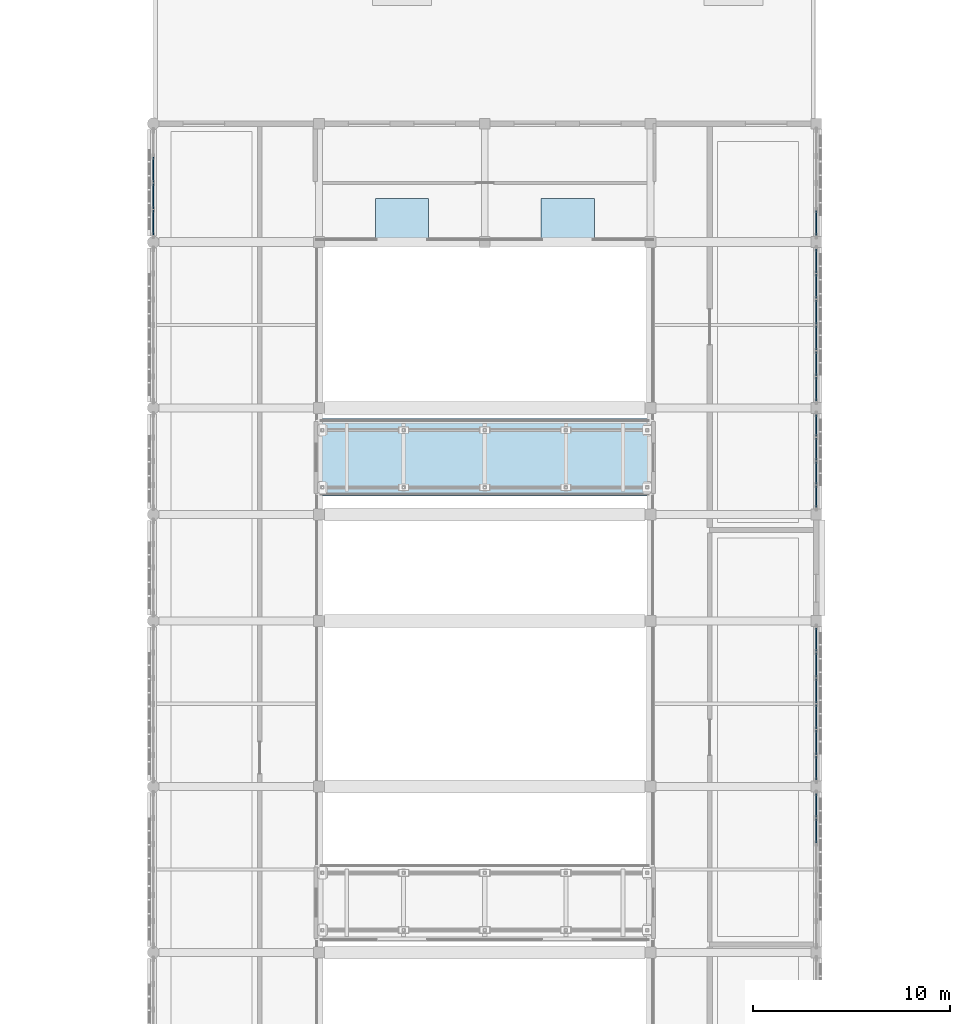
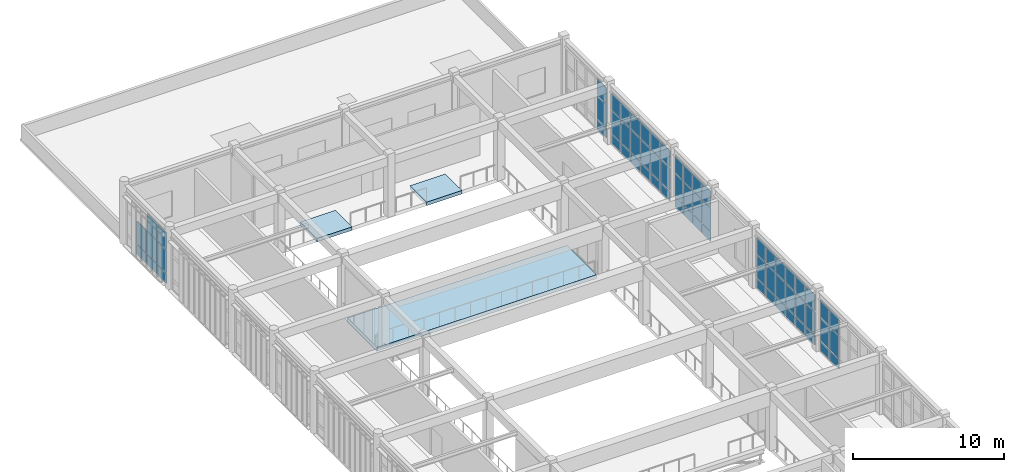
# One storey, part 48 of 77: 65 plates, 3 slabs, 6 elements without a shape of their own.
"""IFC4 building model written with IfcOpenShell, lengths in metres."""

from ifc_helpers import new_model, si_unit, direction, frame, origin, origin_2d, place, context, subcontext, project, spatial, polyline, rectangle, outline, extrude, material, layer, layer_set, type_object, element, aggregate, save


model = new_model("IFC4")

# Units and contexts
model_context = context("Model", 3, precision=1e-05, world=origin(), true_north=direction((0.0, 1.0)))
body_context = subcontext(model_context, "Body", "Model", "MODEL_VIEW")
ifc_project = project(units=[si_unit("LENGTHUNIT", "METRE"), si_unit("AREAUNIT", "SQUARE_METRE"), si_unit("VOLUMEUNIT", "CUBIC_METRE"), si_unit("PLANEANGLEUNIT", "RADIAN"), si_unit("MASSUNIT", "GRAM", prefix="KILO")], contexts=[model_context])

# Site, building, storey
site_placement = place(None, origin())
site = spatial("IfcSite", under=ifc_project, at=site_placement, CompositionType="ELEMENT")
building_placement = place(site_placement, origin())
building = spatial("IfcBuilding", under=site, at=building_placement, Name="Krzemoval Escarpment Law Courts", CompositionType="ELEMENT")
storey_placement = place(building_placement, frame((0.0, 0.0, 15.300048828125)))
storey = spatial("IfcBuildingStorey", under=building, at=storey_placement, Name="L03", CompositionType="ELEMENT", Elevation=15.300048828125)

# Curtain wall, plates
ifc_material_1 = material(Name="Aluminium 6063-T6", Category="aluminium")
ifc_layer_1 = layer(ifc_material_1, 0.280029296875)
ifc_layer_set_1 = layer_set([ifc_layer_1], Name="Aluminium 6063-T6")
curtain_wall_type = type_object("IfcCurtainWallType", Name="CW-HALL-5100", PredefinedType="USERDEFINED", material=ifc_layer_set_1)
curtain_wall_1_placement = place(storey_placement, origin())
curtain_wall_1 = element("IfcCurtainWall", 1, at=curtain_wall_1_placement, inside=storey, type_object=curtain_wall_type, Name="Unitised Curtain Wall FCW-L03-104", ObjectType="UNITISED_CURTAIN_WALL", PredefinedType="USERDEFINED")
ifc_material_2 = material(Name="Triple Glazing IGU", Category="glass")
ifc_layer_2 = layer(ifc_material_2, 0.053955078125)
ifc_layer_set_2 = layer_set([ifc_layer_2], Name="Triple Glazing IGU")
plate_type = type_object("IfcPlateType", Name="CWP-GLZ-54", PredefinedType="CURTAIN_PANEL", material=ifc_layer_set_2)
plate_1_placement = place(storey_placement, frame((8.39990234375, 94.59619140625, 0.0849609375), z_axis=(0.0, 0.0, 1.0), x_axis=(0.0, 1.0, 0.0)))
plate_1 = element("IfcPlate", 2, at=plate_1_placement, type_object=plate_type, Name="FCW-L03-104 panel 1.1", PredefinedType="CURTAIN_PANEL", context=body_context, shape_type="SweptSolid", body=[
    extrude(rectangle(XDim=1.222412109375, YDim=0.053955078125, at=origin_2d()), origin(), (0.0, 0.0, 1.0), 0.7724609375),
])
plate_2_placement = place(storey_placement, frame((8.39990234375, 94.59619140625, 0.9423828125), z_axis=(0.0, 0.0, 1.0), x_axis=(0.0, 1.0, 0.0)))
plate_2 = element("IfcPlate", 3, at=plate_2_placement, type_object=plate_type, Name="FCW-L03-104 panel 1.2", PredefinedType="CURTAIN_PANEL", context=body_context, shape_type="SweptSolid", body=[
    extrude(rectangle(XDim=1.222412109375, YDim=0.053955078125, at=origin_2d()), origin(), (0.0, 0.0, 1.0), 1.81494140625),
])
plate_3_placement = place(storey_placement, frame((8.39990234375, 94.59619140625, 2.842529296875), z_axis=(0.0, 0.0, 1.0), x_axis=(0.0, 1.0, 0.0)))
plate_3 = element("IfcPlate", 4, at=plate_3_placement, type_object=plate_type, Name="FCW-L03-104 panel 1.3", PredefinedType="CURTAIN_PANEL", context=body_context, shape_type="SweptSolid", body=[
    extrude(rectangle(XDim=1.222412109375, YDim=0.053955078125, at=origin_2d()), origin(), (0.0, 0.0, 1.0), 1.3125),
])
plate_4_placement = place(storey_placement, frame((8.39990234375, 95.925048828125, 0.0849609375), z_axis=(0.0, 0.0, 1.0), x_axis=(0.0, 1.0, 0.0)))
plate_4 = element("IfcPlate", 5, at=plate_4_placement, type_object=plate_type, Name="FCW-L03-104 panel 2.1", PredefinedType="CURTAIN_PANEL", context=body_context, shape_type="SweptSolid", body=[
    extrude(rectangle(XDim=1.264892578125, YDim=0.053955078125, at=origin_2d()), origin(), (0.0, 0.0, 1.0), 0.7724609375),
])
plate_5_placement = place(storey_placement, frame((8.39990234375, 95.925048828125, 0.9423828125), z_axis=(0.0, 0.0, 1.0), x_axis=(0.0, 1.0, 0.0)))
plate_5 = element("IfcPlate", 6, at=plate_5_placement, type_object=plate_type, Name="FCW-L03-104 panel 2.2", PredefinedType="CURTAIN_PANEL", context=body_context, shape_type="SweptSolid", body=[
    extrude(rectangle(XDim=1.264892578125, YDim=0.053955078125, at=origin_2d()), origin(), (0.0, 0.0, 1.0), 1.81494140625),
])
plate_6_placement = place(storey_placement, frame((8.39990234375, 95.925048828125, 2.842529296875), z_axis=(0.0, 0.0, 1.0), x_axis=(0.0, 1.0, 0.0)))
plate_6 = element("IfcPlate", 7, at=plate_6_placement, type_object=plate_type, Name="FCW-L03-104 panel 2.3", PredefinedType="CURTAIN_PANEL", context=body_context, shape_type="SweptSolid", body=[
    extrude(rectangle(XDim=1.264892578125, YDim=0.053955078125, at=origin_2d()), origin(), (0.0, 0.0, 1.0), 1.3125),
])
plate_7_placement = place(storey_placement, frame((8.39990234375, 97.27490234375, 0.0849609375), z_axis=(0.0, 0.0, 1.0), x_axis=(0.0, 1.0, 0.0)))
plate_7 = element("IfcPlate", 8, at=plate_7_placement, type_object=plate_type, Name="FCW-L03-104 panel 3.1", PredefinedType="CURTAIN_PANEL", context=body_context, shape_type="SweptSolid", body=[
    extrude(rectangle(XDim=1.264892578125, YDim=0.053955078125, at=origin_2d()), origin(), (0.0, 0.0, 1.0), 0.7724609375),
])
plate_8_placement = place(storey_placement, frame((8.39990234375, 97.27490234375, 0.9423828125), z_axis=(0.0, 0.0, 1.0), x_axis=(0.0, 1.0, 0.0)))
plate_8 = element("IfcPlate", 9, at=plate_8_placement, type_object=plate_type, Name="FCW-L03-104 panel 3.2", PredefinedType="CURTAIN_PANEL", context=body_context, shape_type="SweptSolid", body=[
    extrude(rectangle(XDim=1.264892578125, YDim=0.053955078125, at=origin_2d()), origin(), (0.0, 0.0, 1.0), 1.81494140625),
])
aggregate(curtain_wall_1, [plate_1, plate_2, plate_3, plate_4, plate_5, plate_6, plate_7, plate_8])

curtain_wall_2_placement = place(storey_placement, origin())
curtain_wall_2 = element("IfcCurtainWall", 10, at=curtain_wall_2_placement, inside=storey, type_object=curtain_wall_type, Name="Unitised Curtain Wall FCW-L03-105", ObjectType="UNITISED_CURTAIN_WALL", PredefinedType="USERDEFINED")
plate_9_placement = place(storey_placement, frame((42.0, 94.577392578125, 0.0849609375), z_axis=(0.0, 0.0, 1.0), x_axis=(0.0, -1.0, 0.0)))
plate_9 = element("IfcPlate", 11, at=plate_9_placement, type_object=plate_type, Name="FCW-L03-105 panel 4.1", PredefinedType="CURTAIN_PANEL", context=body_context, shape_type="SweptSolid", body=[
    extrude(rectangle(XDim=1.235107421875, YDim=0.053955078125, at=origin_2d()), origin(), (0.0, 0.0, 1.0), 0.7724609375),
])
plate_10_placement = place(storey_placement, frame((42.0, 94.577392578125, 0.9423828125), z_axis=(0.0, 0.0, 1.0), x_axis=(0.0, -1.0, 0.0)))
plate_10 = element("IfcPlate", 12, at=plate_10_placement, type_object=plate_type, Name="FCW-L03-105 panel 4.2", PredefinedType="CURTAIN_PANEL", context=body_context, shape_type="SweptSolid", body=[
    extrude(rectangle(XDim=1.235107421875, YDim=0.053955078125, at=origin_2d()), origin(), (0.0, 0.0, 1.0), 1.81494140625),
])
plate_11_placement = place(storey_placement, frame((42.0, 94.577392578125, 2.842529296875), z_axis=(0.0, 0.0, 1.0), x_axis=(0.0, -1.0, 0.0)))
plate_11 = element("IfcPlate", 13, at=plate_11_placement, type_object=plate_type, Name="FCW-L03-105 panel 4.3", PredefinedType="CURTAIN_PANEL", context=body_context, shape_type="SweptSolid", body=[
    extrude(rectangle(XDim=1.235107421875, YDim=0.053955078125, at=origin_2d()), origin(), (0.0, 0.0, 1.0), 1.3125),
])
aggregate(curtain_wall_2, [plate_9, plate_10, plate_11])

curtain_wall_3_placement = place(storey_placement, origin())
curtain_wall_3 = element("IfcCurtainWall", 14, at=curtain_wall_3_placement, inside=storey, type_object=curtain_wall_type, Name="Unitised Curtain Wall FCW-L03-106", ObjectType="UNITISED_CURTAIN_WALL", PredefinedType="USERDEFINED")
plate_12_placement = place(storey_placement, frame((42.0, 92.649658203125, 0.0849609375), z_axis=(0.0, 0.0, 1.0), x_axis=(0.0, -1.0, 0.0)))
plate_12 = element("IfcPlate", 15, at=plate_12_placement, type_object=plate_type, Name="FCW-L03-106 panel 1.1", PredefinedType="CURTAIN_PANEL", context=body_context, shape_type="SweptSolid", body=[
    extrude(rectangle(XDim=1.180908203125, YDim=0.053955078125, at=origin_2d()), origin(), (0.0, 0.0, 1.0), 0.7724609375),
])
plate_13_placement = place(storey_placement, frame((42.0, 92.649658203125, 0.9423828125), z_axis=(0.0, 0.0, 1.0), x_axis=(0.0, -1.0, 0.0)))
plate_13 = element("IfcPlate", 16, at=plate_13_placement, type_object=plate_type, Name="FCW-L03-106 panel 1.2", PredefinedType="CURTAIN_PANEL", context=body_context, shape_type="SweptSolid", body=[
    extrude(rectangle(XDim=1.180908203125, YDim=0.053955078125, at=origin_2d()), origin(), (0.0, 0.0, 1.0), 1.81494140625),
])
plate_14_placement = place(storey_placement, frame((42.0, 92.649658203125, 2.842529296875), z_axis=(0.0, 0.0, 1.0), x_axis=(0.0, -1.0, 0.0)))
plate_14 = element("IfcPlate", 17, at=plate_14_placement, type_object=plate_type, Name="FCW-L03-106 panel 1.3", PredefinedType="CURTAIN_PANEL", context=body_context, shape_type="SweptSolid", body=[
    extrude(rectangle(XDim=1.180908203125, YDim=0.053955078125, at=origin_2d()), origin(), (0.0, 0.0, 1.0), 1.3125),
])
plate_15_placement = place(storey_placement, frame((42.0, 91.362548828125, 0.0849609375), z_axis=(0.0, 0.0, 1.0), x_axis=(0.0, -1.0, 0.0)))
plate_15 = element("IfcPlate", 18, at=plate_15_placement, type_object=plate_type, Name="FCW-L03-106 panel 2.1", PredefinedType="CURTAIN_PANEL", context=body_context, shape_type="SweptSolid", body=[
    extrude(rectangle(XDim=1.223388671875, YDim=0.053955078125, at=origin_2d()), origin(), (0.0, 0.0, 1.0), 0.7724609375),
])
plate_16_placement = place(storey_placement, frame((42.0, 91.362548828125, 0.9423828125), z_axis=(0.0, 0.0, 1.0), x_axis=(0.0, -1.0, 0.0)))
plate_16 = element("IfcPlate", 19, at=plate_16_placement, type_object=plate_type, Name="FCW-L03-106 panel 2.2", PredefinedType="CURTAIN_PANEL", context=body_context, shape_type="SweptSolid", body=[
    extrude(rectangle(XDim=1.223388671875, YDim=0.053955078125, at=origin_2d()), origin(), (0.0, 0.0, 1.0), 1.81494140625),
])
plate_17_placement = place(storey_placement, frame((42.0, 91.362548828125, 2.842529296875), z_axis=(0.0, 0.0, 1.0), x_axis=(0.0, -1.0, 0.0)))
plate_17 = element("IfcPlate", 20, at=plate_17_placement, type_object=plate_type, Name="FCW-L03-106 panel 2.3", PredefinedType="CURTAIN_PANEL", context=body_context, shape_type="SweptSolid", body=[
    extrude(rectangle(XDim=1.223388671875, YDim=0.053955078125, at=origin_2d()), origin(), (0.0, 0.0, 1.0), 1.3125),
])
plate_18_placement = place(storey_placement, frame((42.0, 90.05419921875, 0.0849609375), z_axis=(0.0, 0.0, 1.0), x_axis=(0.0, -1.0, 0.0)))
plate_18 = element("IfcPlate", 21, at=plate_18_placement, type_object=plate_type, Name="FCW-L03-106 panel 3.1", PredefinedType="CURTAIN_PANEL", context=body_context, shape_type="SweptSolid", body=[
    extrude(rectangle(XDim=1.223388671875, YDim=0.053955078125, at=origin_2d()), origin(), (0.0, 0.0, 1.0), 0.7724609375),
])
plate_19_placement = place(storey_placement, frame((42.0, 90.05419921875, 0.9423828125), z_axis=(0.0, 0.0, 1.0), x_axis=(0.0, -1.0, 0.0)))
plate_19 = element("IfcPlate", 22, at=plate_19_placement, type_object=plate_type, Name="FCW-L03-106 panel 3.2", PredefinedType="CURTAIN_PANEL", context=body_context, shape_type="SweptSolid", body=[
    extrude(rectangle(XDim=1.223388671875, YDim=0.053955078125, at=origin_2d()), origin(), (0.0, 0.0, 1.0), 1.81494140625),
])
plate_20_placement = place(storey_placement, frame((42.0, 90.05419921875, 2.842529296875), z_axis=(0.0, 0.0, 1.0), x_axis=(0.0, -1.0, 0.0)))
plate_20 = element("IfcPlate", 23, at=plate_20_placement, type_object=plate_type, Name="FCW-L03-106 panel 3.3", PredefinedType="CURTAIN_PANEL", context=body_context, shape_type="SweptSolid", body=[
    extrude(rectangle(XDim=1.223388671875, YDim=0.053955078125, at=origin_2d()), origin(), (0.0, 0.0, 1.0), 1.3125),
])
plate_21_placement = place(storey_placement, frame((42.0, 88.745849609375, 0.0849609375), z_axis=(0.0, 0.0, 1.0), x_axis=(0.0, -1.0, 0.0)))
plate_21 = element("IfcPlate", 24, at=plate_21_placement, type_object=plate_type, Name="FCW-L03-106 panel 4.1", PredefinedType="CURTAIN_PANEL", context=body_context, shape_type="SweptSolid", body=[
    extrude(rectangle(XDim=1.223388671875, YDim=0.053955078125, at=origin_2d()), origin(), (0.0, 0.0, 1.0), 0.7724609375),
])
plate_22_placement = place(storey_placement, frame((42.0, 88.745849609375, 0.9423828125), z_axis=(0.0, 0.0, 1.0), x_axis=(0.0, -1.0, 0.0)))
plate_22 = element("IfcPlate", 25, at=plate_22_placement, type_object=plate_type, Name="FCW-L03-106 panel 4.2", PredefinedType="CURTAIN_PANEL", context=body_context, shape_type="SweptSolid", body=[
    extrude(rectangle(XDim=1.223388671875, YDim=0.053955078125, at=origin_2d()), origin(), (0.0, 0.0, 1.0), 1.81494140625),
])
plate_23_placement = place(storey_placement, frame((42.0, 88.745849609375, 2.842529296875), z_axis=(0.0, 0.0, 1.0), x_axis=(0.0, -1.0, 0.0)))
plate_23 = element("IfcPlate", 26, at=plate_23_placement, type_object=plate_type, Name="FCW-L03-106 panel 4.3", PredefinedType="CURTAIN_PANEL", context=body_context, shape_type="SweptSolid", body=[
    extrude(rectangle(XDim=1.223388671875, YDim=0.053955078125, at=origin_2d()), origin(), (0.0, 0.0, 1.0), 1.3125),
])
plate_24_placement = place(storey_placement, frame((42.0, 87.4375, 0.0849609375), z_axis=(0.0, 0.0, 1.0), x_axis=(0.0, -1.0, 0.0)))
plate_24 = element("IfcPlate", 27, at=plate_24_placement, type_object=plate_type, Name="FCW-L03-106 panel 5.1", PredefinedType="CURTAIN_PANEL", context=body_context, shape_type="SweptSolid", body=[
    extrude(rectangle(XDim=1.223388671875, YDim=0.053955078125, at=origin_2d()), origin(), (0.0, 0.0, 1.0), 0.7724609375),
])
plate_25_placement = place(storey_placement, frame((42.0, 87.4375, 0.9423828125), z_axis=(0.0, 0.0, 1.0), x_axis=(0.0, -1.0, 0.0)))
plate_25 = element("IfcPlate", 28, at=plate_25_placement, type_object=plate_type, Name="FCW-L03-106 panel 5.2", PredefinedType="CURTAIN_PANEL", context=body_context, shape_type="SweptSolid", body=[
    extrude(rectangle(XDim=1.223388671875, YDim=0.053955078125, at=origin_2d()), origin(), (0.0, 0.0, 1.0), 1.81494140625),
])
plate_26_placement = place(storey_placement, frame((42.0, 87.4375, 2.842529296875), z_axis=(0.0, 0.0, 1.0), x_axis=(0.0, -1.0, 0.0)))
plate_26 = element("IfcPlate", 29, at=plate_26_placement, type_object=plate_type, Name="FCW-L03-106 panel 5.3", PredefinedType="CURTAIN_PANEL", context=body_context, shape_type="SweptSolid", body=[
    extrude(rectangle(XDim=1.223388671875, YDim=0.053955078125, at=origin_2d()), origin(), (0.0, 0.0, 1.0), 1.3125),
])
plate_27_placement = place(storey_placement, frame((42.0, 86.150390625, 0.0849609375), z_axis=(0.0, 0.0, 1.0), x_axis=(0.0, -1.0, 0.0)))
plate_27 = element("IfcPlate", 30, at=plate_27_placement, type_object=plate_type, Name="FCW-L03-106 panel 6.1", PredefinedType="CURTAIN_PANEL", context=body_context, shape_type="SweptSolid", body=[
    extrude(rectangle(XDim=1.180908203125, YDim=0.053955078125, at=origin_2d()), origin(), (0.0, 0.0, 1.0), 0.7724609375),
])
plate_28_placement = place(storey_placement, frame((42.0, 86.150390625, 0.9423828125), z_axis=(0.0, 0.0, 1.0), x_axis=(0.0, -1.0, 0.0)))
plate_28 = element("IfcPlate", 31, at=plate_28_placement, type_object=plate_type, Name="FCW-L03-106 panel 6.2", PredefinedType="CURTAIN_PANEL", context=body_context, shape_type="SweptSolid", body=[
    extrude(rectangle(XDim=1.180908203125, YDim=0.053955078125, at=origin_2d()), origin(), (0.0, 0.0, 1.0), 1.81494140625),
])
plate_29_placement = place(storey_placement, frame((42.0, 86.150390625, 2.842529296875), z_axis=(0.0, 0.0, 1.0), x_axis=(0.0, -1.0, 0.0)))
plate_29 = element("IfcPlate", 32, at=plate_29_placement, type_object=plate_type, Name="FCW-L03-106 panel 6.3", PredefinedType="CURTAIN_PANEL", context=body_context, shape_type="SweptSolid", body=[
    extrude(rectangle(XDim=1.180908203125, YDim=0.053955078125, at=origin_2d()), origin(), (0.0, 0.0, 1.0), 1.3125),
])
aggregate(curtain_wall_3, [plate_12, plate_13, plate_14, plate_15, plate_16, plate_17, plate_18, plate_19, plate_20, plate_21, plate_22, plate_23, plate_24, plate_25, plate_26, plate_27, plate_28, plate_29])

curtain_wall_4_placement = place(storey_placement, origin())
curtain_wall_4 = element("IfcCurtainWall", 33, at=curtain_wall_4_placement, inside=storey, type_object=curtain_wall_type, Name="Unitised Curtain Wall FCW-L03-107", ObjectType="UNITISED_CURTAIN_WALL", PredefinedType="USERDEFINED")
plate_30_placement = place(storey_placement, frame((42.0, 84.297607421875, 0.0849609375), z_axis=(0.0, 0.0, 1.0), x_axis=(0.0, -1.0, 0.0)))
plate_30 = element("IfcPlate", 34, at=plate_30_placement, type_object=plate_type, Name="FCW-L03-107 panel 1.1", PredefinedType="CURTAIN_PANEL", context=body_context, shape_type="SweptSolid", body=[
    extrude(rectangle(XDim=1.0849609375, YDim=0.053955078125, at=origin_2d()), origin(), (0.0, 0.0, 1.0), 0.7724609375),
])
plate_31_placement = place(storey_placement, frame((42.0, 84.297607421875, 0.9423828125), z_axis=(0.0, 0.0, 1.0), x_axis=(0.0, -1.0, 0.0)))
plate_31 = element("IfcPlate", 35, at=plate_31_placement, type_object=plate_type, Name="FCW-L03-107 panel 1.2", PredefinedType="CURTAIN_PANEL", context=body_context, shape_type="SweptSolid", body=[
    extrude(rectangle(XDim=1.0849609375, YDim=0.053955078125, at=origin_2d()), origin(), (0.0, 0.0, 1.0), 1.81494140625),
])
plate_32_placement = place(storey_placement, frame((42.0, 84.297607421875, 2.842529296875), z_axis=(0.0, 0.0, 1.0), x_axis=(0.0, -1.0, 0.0)))
plate_32 = element("IfcPlate", 36, at=plate_32_placement, type_object=plate_type, Name="FCW-L03-107 panel 1.3", PredefinedType="CURTAIN_PANEL", context=body_context, shape_type="SweptSolid", body=[
    extrude(rectangle(XDim=1.0849609375, YDim=0.053955078125, at=origin_2d()), origin(), (0.0, 0.0, 1.0), 1.3125),
])
plate_33_placement = place(storey_placement, frame((42.0, 83.106201171875, 0.0849609375), z_axis=(0.0, 0.0, 1.0), x_axis=(0.0, -1.0, 0.0)))
plate_33 = element("IfcPlate", 37, at=plate_33_placement, type_object=plate_type, Name="FCW-L03-107 panel 2.1", PredefinedType="CURTAIN_PANEL", context=body_context, shape_type="SweptSolid", body=[
    extrude(rectangle(XDim=1.12744140625, YDim=0.053955078125, at=origin_2d()), origin(), (0.0, 0.0, 1.0), 0.7724609375),
])
plate_34_placement = place(storey_placement, frame((42.0, 83.106201171875, 0.9423828125), z_axis=(0.0, 0.0, 1.0), x_axis=(0.0, -1.0, 0.0)))
plate_34 = element("IfcPlate", 38, at=plate_34_placement, type_object=plate_type, Name="FCW-L03-107 panel 2.2", PredefinedType="CURTAIN_PANEL", context=body_context, shape_type="SweptSolid", body=[
    extrude(rectangle(XDim=1.12744140625, YDim=0.053955078125, at=origin_2d()), origin(), (0.0, 0.0, 1.0), 1.81494140625),
])
plate_35_placement = place(storey_placement, frame((42.0, 83.106201171875, 2.842529296875), z_axis=(0.0, 0.0, 1.0), x_axis=(0.0, -1.0, 0.0)))
plate_35 = element("IfcPlate", 39, at=plate_35_placement, type_object=plate_type, Name="FCW-L03-107 panel 2.3", PredefinedType="CURTAIN_PANEL", context=body_context, shape_type="SweptSolid", body=[
    extrude(rectangle(XDim=1.12744140625, YDim=0.053955078125, at=origin_2d()), origin(), (0.0, 0.0, 1.0), 1.3125),
])
plate_36_placement = place(storey_placement, frame((42.0, 81.893798828125, 0.0849609375), z_axis=(0.0, 0.0, 1.0), x_axis=(0.0, -1.0, 0.0)))
plate_36 = element("IfcPlate", 40, at=plate_36_placement, type_object=plate_type, Name="FCW-L03-107 panel 3.1", PredefinedType="CURTAIN_PANEL", context=body_context, shape_type="SweptSolid", body=[
    extrude(rectangle(XDim=1.12744140625, YDim=0.053955078125, at=origin_2d()), origin(), (0.0, 0.0, 1.0), 0.7724609375),
])
plate_37_placement = place(storey_placement, frame((42.0, 81.893798828125, 0.9423828125), z_axis=(0.0, 0.0, 1.0), x_axis=(0.0, -1.0, 0.0)))
plate_37 = element("IfcPlate", 41, at=plate_37_placement, type_object=plate_type, Name="FCW-L03-107 panel 3.2", PredefinedType="CURTAIN_PANEL", context=body_context, shape_type="SweptSolid", body=[
    extrude(rectangle(XDim=1.12744140625, YDim=0.053955078125, at=origin_2d()), origin(), (0.0, 0.0, 1.0), 1.81494140625),
])
plate_38_placement = place(storey_placement, frame((42.0, 81.893798828125, 2.842529296875), z_axis=(0.0, 0.0, 1.0), x_axis=(0.0, -1.0, 0.0)))
plate_38 = element("IfcPlate", 42, at=plate_38_placement, type_object=plate_type, Name="FCW-L03-107 panel 3.3", PredefinedType="CURTAIN_PANEL", context=body_context, shape_type="SweptSolid", body=[
    extrude(rectangle(XDim=1.12744140625, YDim=0.053955078125, at=origin_2d()), origin(), (0.0, 0.0, 1.0), 1.3125),
])
plate_39_placement = place(storey_placement, frame((42.0, 80.702392578125, 0.0849609375), z_axis=(0.0, 0.0, 1.0), x_axis=(0.0, -1.0, 0.0)))
plate_39 = element("IfcPlate", 43, at=plate_39_placement, type_object=plate_type, Name="FCW-L03-107 panel 4.1", PredefinedType="CURTAIN_PANEL", context=body_context, shape_type="SweptSolid", body=[
    extrude(rectangle(XDim=1.0849609375, YDim=0.053955078125, at=origin_2d()), origin(), (0.0, 0.0, 1.0), 0.7724609375),
])
plate_40_placement = place(storey_placement, frame((42.0, 80.702392578125, 0.9423828125), z_axis=(0.0, 0.0, 1.0), x_axis=(0.0, -1.0, 0.0)))
plate_40 = element("IfcPlate", 44, at=plate_40_placement, type_object=plate_type, Name="FCW-L03-107 panel 4.2", PredefinedType="CURTAIN_PANEL", context=body_context, shape_type="SweptSolid", body=[
    extrude(rectangle(XDim=1.0849609375, YDim=0.053955078125, at=origin_2d()), origin(), (0.0, 0.0, 1.0), 1.81494140625),
])
plate_41_placement = place(storey_placement, frame((42.0, 80.702392578125, 2.842529296875), z_axis=(0.0, 0.0, 1.0), x_axis=(0.0, -1.0, 0.0)))
plate_41 = element("IfcPlate", 45, at=plate_41_placement, type_object=plate_type, Name="FCW-L03-107 panel 4.3", PredefinedType="CURTAIN_PANEL", context=body_context, shape_type="SweptSolid", body=[
    extrude(rectangle(XDim=1.0849609375, YDim=0.053955078125, at=origin_2d()), origin(), (0.0, 0.0, 1.0), 1.3125),
])
aggregate(curtain_wall_4, [plate_30, plate_31, plate_32, plate_33, plate_34, plate_35, plate_36, plate_37, plate_38, plate_39, plate_40, plate_41])

curtain_wall_5_placement = place(storey_placement, origin())
curtain_wall_5 = element("IfcCurtainWall", 46, at=curtain_wall_5_placement, inside=storey, type_object=curtain_wall_type, Name="Unitised Curtain Wall FCW-L03-108", ObjectType="UNITISED_CURTAIN_WALL", PredefinedType="USERDEFINED")
plate_42_placement = place(storey_placement, frame((42.0, 73.449462890625, 0.0849609375), z_axis=(0.0, 0.0, 1.0), x_axis=(0.0, -1.0, 0.0)))
plate_42 = element("IfcPlate", 47, at=plate_42_placement, type_object=plate_type, Name="FCW-L03-108 panel 1.1", PredefinedType="CURTAIN_PANEL", context=body_context, shape_type="SweptSolid", body=[
    extrude(rectangle(XDim=1.180908203125, YDim=0.053955078125, at=origin_2d()), origin(), (0.0, 0.0, 1.0), 0.7724609375),
])
plate_43_placement = place(storey_placement, frame((42.0, 73.449462890625, 0.9423828125), z_axis=(0.0, 0.0, 1.0), x_axis=(0.0, -1.0, 0.0)))
plate_43 = element("IfcPlate", 48, at=plate_43_placement, type_object=plate_type, Name="FCW-L03-108 panel 1.2", PredefinedType="CURTAIN_PANEL", context=body_context, shape_type="SweptSolid", body=[
    extrude(rectangle(XDim=1.180908203125, YDim=0.053955078125, at=origin_2d()), origin(), (0.0, 0.0, 1.0), 1.81494140625),
])
plate_44_placement = place(storey_placement, frame((42.0, 73.449462890625, 2.842529296875), z_axis=(0.0, 0.0, 1.0), x_axis=(0.0, -1.0, 0.0)))
plate_44 = element("IfcPlate", 49, at=plate_44_placement, type_object=plate_type, Name="FCW-L03-108 panel 1.3", PredefinedType="CURTAIN_PANEL", context=body_context, shape_type="SweptSolid", body=[
    extrude(rectangle(XDim=1.180908203125, YDim=0.053955078125, at=origin_2d()), origin(), (0.0, 0.0, 1.0), 1.3125),
])
plate_45_placement = place(storey_placement, frame((42.0, 72.16259765625, 0.0849609375), z_axis=(0.0, 0.0, 1.0), x_axis=(0.0, -1.0, 0.0)))
plate_45 = element("IfcPlate", 50, at=plate_45_placement, type_object=plate_type, Name="FCW-L03-108 panel 2.1", PredefinedType="CURTAIN_PANEL", context=body_context, shape_type="SweptSolid", body=[
    extrude(rectangle(XDim=1.223388671875, YDim=0.053955078125, at=origin_2d()), origin(), (0.0, 0.0, 1.0), 0.7724609375),
])
plate_46_placement = place(storey_placement, frame((42.0, 72.16259765625, 0.9423828125), z_axis=(0.0, 0.0, 1.0), x_axis=(0.0, -1.0, 0.0)))
plate_46 = element("IfcPlate", 51, at=plate_46_placement, type_object=plate_type, Name="FCW-L03-108 panel 2.2", PredefinedType="CURTAIN_PANEL", context=body_context, shape_type="SweptSolid", body=[
    extrude(rectangle(XDim=1.223388671875, YDim=0.053955078125, at=origin_2d()), origin(), (0.0, 0.0, 1.0), 1.81494140625),
])
plate_47_placement = place(storey_placement, frame((42.0, 72.16259765625, 2.842529296875), z_axis=(0.0, 0.0, 1.0), x_axis=(0.0, -1.0, 0.0)))
plate_47 = element("IfcPlate", 52, at=plate_47_placement, type_object=plate_type, Name="FCW-L03-108 panel 2.3", PredefinedType="CURTAIN_PANEL", context=body_context, shape_type="SweptSolid", body=[
    extrude(rectangle(XDim=1.223388671875, YDim=0.053955078125, at=origin_2d()), origin(), (0.0, 0.0, 1.0), 1.3125),
])
plate_48_placement = place(storey_placement, frame((42.0, 70.854248046875, 0.0849609375), z_axis=(0.0, 0.0, 1.0), x_axis=(0.0, -1.0, 0.0)))
plate_48 = element("IfcPlate", 53, at=plate_48_placement, type_object=plate_type, Name="FCW-L03-108 panel 3.1", PredefinedType="CURTAIN_PANEL", context=body_context, shape_type="SweptSolid", body=[
    extrude(rectangle(XDim=1.223388671875, YDim=0.053955078125, at=origin_2d()), origin(), (0.0, 0.0, 1.0), 0.7724609375),
])
plate_49_placement = place(storey_placement, frame((42.0, 70.854248046875, 0.9423828125), z_axis=(0.0, 0.0, 1.0), x_axis=(0.0, -1.0, 0.0)))
plate_49 = element("IfcPlate", 54, at=plate_49_placement, type_object=plate_type, Name="FCW-L03-108 panel 3.2", PredefinedType="CURTAIN_PANEL", context=body_context, shape_type="SweptSolid", body=[
    extrude(rectangle(XDim=1.223388671875, YDim=0.053955078125, at=origin_2d()), origin(), (0.0, 0.0, 1.0), 1.81494140625),
])
plate_50_placement = place(storey_placement, frame((42.0, 70.854248046875, 2.842529296875), z_axis=(0.0, 0.0, 1.0), x_axis=(0.0, -1.0, 0.0)))
plate_50 = element("IfcPlate", 55, at=plate_50_placement, type_object=plate_type, Name="FCW-L03-108 panel 3.3", PredefinedType="CURTAIN_PANEL", context=body_context, shape_type="SweptSolid", body=[
    extrude(rectangle(XDim=1.223388671875, YDim=0.053955078125, at=origin_2d()), origin(), (0.0, 0.0, 1.0), 1.3125),
])
plate_51_placement = place(storey_placement, frame((42.0, 69.5458984375, 0.0849609375), z_axis=(0.0, 0.0, 1.0), x_axis=(0.0, -1.0, 0.0)))
plate_51 = element("IfcPlate", 56, at=plate_51_placement, type_object=plate_type, Name="FCW-L03-108 panel 4.1", PredefinedType="CURTAIN_PANEL", context=body_context, shape_type="SweptSolid", body=[
    extrude(rectangle(XDim=1.223388671875, YDim=0.053955078125, at=origin_2d()), origin(), (0.0, 0.0, 1.0), 0.7724609375),
])
plate_52_placement = place(storey_placement, frame((42.0, 69.5458984375, 0.9423828125), z_axis=(0.0, 0.0, 1.0), x_axis=(0.0, -1.0, 0.0)))
plate_52 = element("IfcPlate", 57, at=plate_52_placement, type_object=plate_type, Name="FCW-L03-108 panel 4.2", PredefinedType="CURTAIN_PANEL", context=body_context, shape_type="SweptSolid", body=[
    extrude(rectangle(XDim=1.223388671875, YDim=0.053955078125, at=origin_2d()), origin(), (0.0, 0.0, 1.0), 1.81494140625),
])
plate_53_placement = place(storey_placement, frame((42.0, 69.5458984375, 2.842529296875), z_axis=(0.0, 0.0, 1.0), x_axis=(0.0, -1.0, 0.0)))
plate_53 = element("IfcPlate", 58, at=plate_53_placement, type_object=plate_type, Name="FCW-L03-108 panel 4.3", PredefinedType="CURTAIN_PANEL", context=body_context, shape_type="SweptSolid", body=[
    extrude(rectangle(XDim=1.223388671875, YDim=0.053955078125, at=origin_2d()), origin(), (0.0, 0.0, 1.0), 1.3125),
])
plate_54_placement = place(storey_placement, frame((42.0, 68.237548828125, 0.0849609375), z_axis=(0.0, 0.0, 1.0), x_axis=(0.0, -1.0, 0.0)))
plate_54 = element("IfcPlate", 59, at=plate_54_placement, type_object=plate_type, Name="FCW-L03-108 panel 5.1", PredefinedType="CURTAIN_PANEL", context=body_context, shape_type="SweptSolid", body=[
    extrude(rectangle(XDim=1.223388671875, YDim=0.053955078125, at=origin_2d()), origin(), (0.0, 0.0, 1.0), 0.7724609375),
])
plate_55_placement = place(storey_placement, frame((42.0, 68.237548828125, 0.9423828125), z_axis=(0.0, 0.0, 1.0), x_axis=(0.0, -1.0, 0.0)))
plate_55 = element("IfcPlate", 60, at=plate_55_placement, type_object=plate_type, Name="FCW-L03-108 panel 5.2", PredefinedType="CURTAIN_PANEL", context=body_context, shape_type="SweptSolid", body=[
    extrude(rectangle(XDim=1.223388671875, YDim=0.053955078125, at=origin_2d()), origin(), (0.0, 0.0, 1.0), 1.81494140625),
])
plate_56_placement = place(storey_placement, frame((42.0, 68.237548828125, 2.842529296875), z_axis=(0.0, 0.0, 1.0), x_axis=(0.0, -1.0, 0.0)))
plate_56 = element("IfcPlate", 61, at=plate_56_placement, type_object=plate_type, Name="FCW-L03-108 panel 5.3", PredefinedType="CURTAIN_PANEL", context=body_context, shape_type="SweptSolid", body=[
    extrude(rectangle(XDim=1.223388671875, YDim=0.053955078125, at=origin_2d()), origin(), (0.0, 0.0, 1.0), 1.3125),
])
plate_57_placement = place(storey_placement, frame((42.0, 66.950439453125, 0.0849609375), z_axis=(0.0, 0.0, 1.0), x_axis=(0.0, -1.0, 0.0)))
plate_57 = element("IfcPlate", 62, at=plate_57_placement, type_object=plate_type, Name="FCW-L03-108 panel 6.1", PredefinedType="CURTAIN_PANEL", context=body_context, shape_type="SweptSolid", body=[
    extrude(rectangle(XDim=1.180908203125, YDim=0.053955078125, at=origin_2d()), origin(), (0.0, 0.0, 1.0), 0.7724609375),
])
plate_58_placement = place(storey_placement, frame((42.0, 66.950439453125, 0.9423828125), z_axis=(0.0, 0.0, 1.0), x_axis=(0.0, -1.0, 0.0)))
plate_58 = element("IfcPlate", 63, at=plate_58_placement, type_object=plate_type, Name="FCW-L03-108 panel 6.2", PredefinedType="CURTAIN_PANEL", context=body_context, shape_type="SweptSolid", body=[
    extrude(rectangle(XDim=1.180908203125, YDim=0.053955078125, at=origin_2d()), origin(), (0.0, 0.0, 1.0), 1.81494140625),
])
plate_59_placement = place(storey_placement, frame((42.0, 66.950439453125, 2.842529296875), z_axis=(0.0, 0.0, 1.0), x_axis=(0.0, -1.0, 0.0)))
plate_59 = element("IfcPlate", 64, at=plate_59_placement, type_object=plate_type, Name="FCW-L03-108 panel 6.3", PredefinedType="CURTAIN_PANEL", context=body_context, shape_type="SweptSolid", body=[
    extrude(rectangle(XDim=1.180908203125, YDim=0.053955078125, at=origin_2d()), origin(), (0.0, 0.0, 1.0), 1.3125),
])
aggregate(curtain_wall_5, [plate_42, plate_43, plate_44, plate_45, plate_46, plate_47, plate_48, plate_49, plate_50, plate_51, plate_52, plate_53, plate_54, plate_55, plate_56, plate_57, plate_58, plate_59])

curtain_wall_6_placement = place(storey_placement, origin())
curtain_wall_6 = element("IfcCurtainWall", 65, at=curtain_wall_6_placement, inside=storey, type_object=curtain_wall_type, Name="Unitised Curtain Wall FCW-L03-109", ObjectType="UNITISED_CURTAIN_WALL", PredefinedType="USERDEFINED")
plate_60_placement = place(storey_placement, frame((42.0, 65.049560546875, 0.0849609375), z_axis=(0.0, 0.0, 1.0), x_axis=(0.0, -1.0, 0.0)))
plate_60 = element("IfcPlate", 66, at=plate_60_placement, type_object=plate_type, Name="FCW-L03-109 panel 1.1", PredefinedType="CURTAIN_PANEL", context=body_context, shape_type="SweptSolid", body=[
    extrude(rectangle(XDim=1.180908203125, YDim=0.053955078125, at=origin_2d()), origin(), (0.0, 0.0, 1.0), 0.7724609375),
])
plate_61_placement = place(storey_placement, frame((42.0, 65.049560546875, 0.9423828125), z_axis=(0.0, 0.0, 1.0), x_axis=(0.0, -1.0, 0.0)))
plate_61 = element("IfcPlate", 67, at=plate_61_placement, type_object=plate_type, Name="FCW-L03-109 panel 1.2", PredefinedType="CURTAIN_PANEL", context=body_context, shape_type="SweptSolid", body=[
    extrude(rectangle(XDim=1.180908203125, YDim=0.053955078125, at=origin_2d()), origin(), (0.0, 0.0, 1.0), 1.81494140625),
])
plate_62_placement = place(storey_placement, frame((42.0, 65.049560546875, 2.842529296875), z_axis=(0.0, 0.0, 1.0), x_axis=(0.0, -1.0, 0.0)))
plate_62 = element("IfcPlate", 68, at=plate_62_placement, type_object=plate_type, Name="FCW-L03-109 panel 1.3", PredefinedType="CURTAIN_PANEL", context=body_context, shape_type="SweptSolid", body=[
    extrude(rectangle(XDim=1.180908203125, YDim=0.053955078125, at=origin_2d()), origin(), (0.0, 0.0, 1.0), 1.3125),
])
plate_63_placement = place(storey_placement, frame((42.0, 63.762451171875, 0.0849609375), z_axis=(0.0, 0.0, 1.0), x_axis=(0.0, -1.0, 0.0)))
plate_63 = element("IfcPlate", 69, at=plate_63_placement, type_object=plate_type, Name="FCW-L03-109 panel 2.1", PredefinedType="CURTAIN_PANEL", context=body_context, shape_type="SweptSolid", body=[
    extrude(rectangle(XDim=1.223388671875, YDim=0.053955078125, at=origin_2d()), origin(), (0.0, 0.0, 1.0), 0.7724609375),
])
plate_64_placement = place(storey_placement, frame((42.0, 63.762451171875, 0.9423828125), z_axis=(0.0, 0.0, 1.0), x_axis=(0.0, -1.0, 0.0)))
plate_64 = element("IfcPlate", 70, at=plate_64_placement, type_object=plate_type, Name="FCW-L03-109 panel 2.2", PredefinedType="CURTAIN_PANEL", context=body_context, shape_type="SweptSolid", body=[
    extrude(rectangle(XDim=1.223388671875, YDim=0.053955078125, at=origin_2d()), origin(), (0.0, 0.0, 1.0), 1.81494140625),
])
plate_65_placement = place(storey_placement, frame((42.0, 63.762451171875, 2.842529296875), z_axis=(0.0, 0.0, 1.0), x_axis=(0.0, -1.0, 0.0)))
plate_65 = element("IfcPlate", 71, at=plate_65_placement, type_object=plate_type, Name="FCW-L03-109 panel 2.3", PredefinedType="CURTAIN_PANEL", context=body_context, shape_type="SweptSolid", body=[
    extrude(rectangle(XDim=1.223388671875, YDim=0.053955078125, at=origin_2d()), origin(), (0.0, 0.0, 1.0), 1.3125),
])
aggregate(curtain_wall_6, [plate_60, plate_61, plate_62, plate_63, plate_64, plate_65])

# Slabs
ifc_material_3 = material(Name="Concrete C40/50", Category="concrete")
ifc_layer_3 = layer(ifc_material_3, 0.300048828125)
ifc_layer_set_3 = layer_set([ifc_layer_3], Name="Concrete C40/50")
slab_type_1 = type_object("IfcSlabType", Name="SL-FLR-300", PredefinedType="FLOOR", material=ifc_layer_set_3)
slab_1_placement = place(storey_placement, frame((0.0, 0.0, -0.300048828125)))
element("IfcSlab", 72, at=slab_1_placement, inside=storey, type_object=slab_type_1, Name="Atrium Bridge Deck BRG-N-L03", PredefinedType="FLOOR", context=body_context, shape_type="SweptSolid", body=[
    extrude(outline(polyline([(33.60009765625, 80.719970703125), (33.60009765625, 84.64990234375), (16.800048828125, 84.64990234375), (16.800048828125, 80.719970703125), (33.60009765625, 80.719970703125)])), origin(), (0.0, 0.0, 1.0), 0.300048828125),
])
ifc_material_4 = material(Name="Concrete C50/60", Category="concrete")
ifc_layer_4 = layer(ifc_material_4, 0.280029296875)
ifc_layer_set_4 = layer_set([ifc_layer_4], Name="Concrete C50/60")
slab_type_2 = type_object("IfcSlabType", Name="SL-PT-280", PredefinedType="FLOOR", material=ifc_layer_set_4)
slab_2_placement = place(storey_placement, frame((0.0, 0.0, -0.280029296875)))
element("IfcSlab", 73, at=slab_2_placement, inside=storey, type_object=slab_type_2, Name="Atrium North Stair Threshold Slab SL-ST10-L03-FL", PredefinedType="FLOOR", context=body_context, shape_type="SweptSolid", body=[
    extrude(outline(polyline([(22.35009765625, 93.60009765625), (22.35009765625, 95.800048828125), (19.64990234375, 95.800048828125), (19.64990234375, 93.60009765625), (22.35009765625, 93.60009765625)])), origin(), (0.0, 0.0, 1.0), 0.280029296875),
])
slab_3_placement = place(storey_placement, frame((0.0, 0.0, -0.280029296875)))
element("IfcSlab", 74, at=slab_3_placement, inside=storey, type_object=slab_type_2, Name="Atrium North Stair Threshold Slab SL-ST11-L03-FL", PredefinedType="FLOOR", context=body_context, shape_type="SweptSolid", body=[
    extrude(outline(polyline([(30.75, 93.60009765625), (30.75, 95.800048828125), (28.050048828125, 95.800048828125), (28.050048828125, 93.60009765625), (30.75, 93.60009765625)])), origin(), (0.0, 0.0, 1.0), 0.280029296875),
])

save(model, "model.ifc")
